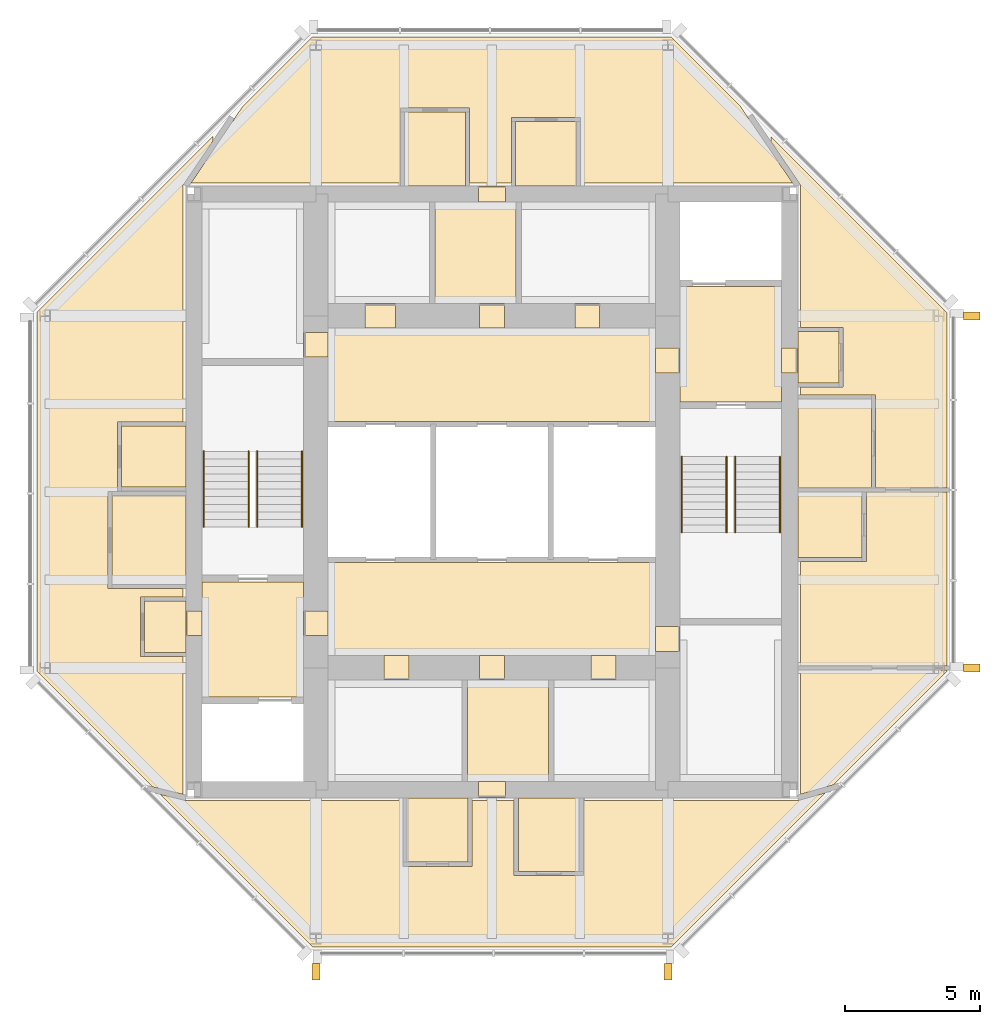
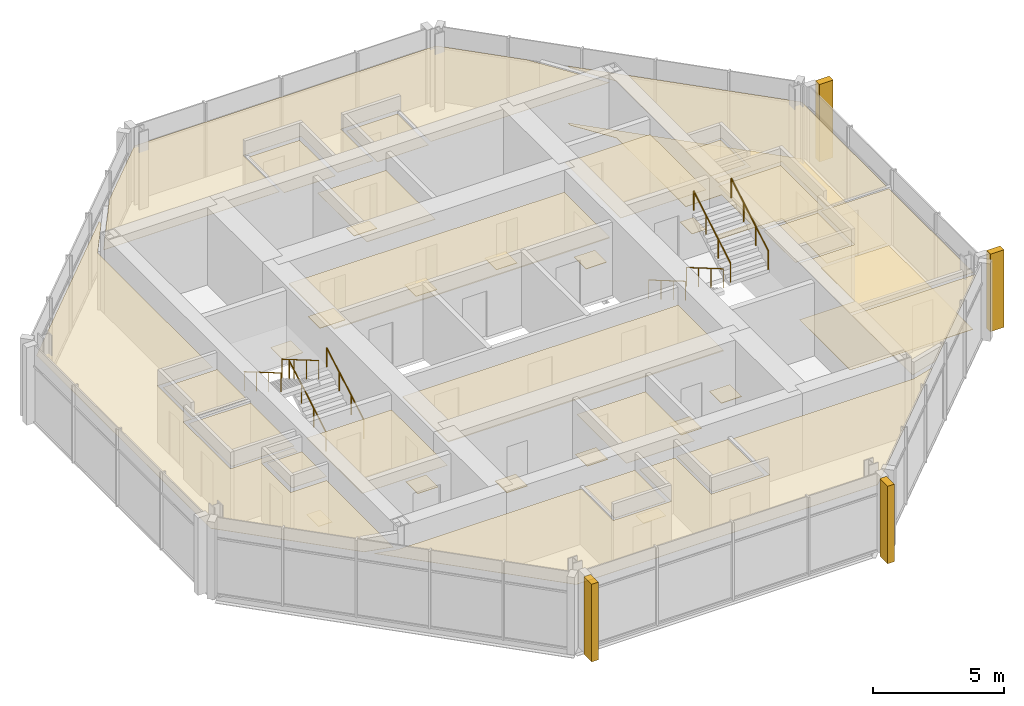
# One storey, part 8 of 8: 42 coverings, 8 railings.
"""IFC4 building model written with IfcOpenShell, lengths in metres."""

from ifc_helpers import new_model, si_unit, direction, frame, origin, origin_2d, place, context, subcontext, project, spatial, polyline, rectangle, circle, outline, extrude, material, layer, layer_set, type_object, element, save


model = new_model("IFC4")

# Units and contexts
model_context = context("Model", 3, precision=1e-05, world=origin(), true_north=direction((0.0, 1.0)))
body_context = subcontext(model_context, "Body", "Model", "MODEL_VIEW")
ifc_project = project(units=[si_unit("LENGTHUNIT", "METRE"), si_unit("AREAUNIT", "SQUARE_METRE"), si_unit("VOLUMEUNIT", "CUBIC_METRE"), si_unit("PLANEANGLEUNIT", "RADIAN"), si_unit("MASSUNIT", "GRAM", prefix="KILO")], contexts=[model_context])

# Site, building, storey
site_placement = place(None, origin())
site = spatial("IfcSite", under=ifc_project, at=site_placement, CompositionType="ELEMENT")
building_placement = place(site_placement, origin())
building = spatial("IfcBuilding", under=site, at=building_placement, Name="Trevanion Tower", CompositionType="ELEMENT")
storey_placement = place(building_placement, frame((0.0, 0.0, 266.800048828125)))
storey = spatial("IfcBuildingStorey", under=building, at=storey_placement, Name="L65", CompositionType="ELEMENT", Elevation=266.800048828125)

# Coverings
ifc_material_1 = material(Name="Fibrous plaster coffers on suspended steel grid", Category="steel")
ifc_layer_1 = layer(ifc_material_1, 0.050048828125)
ifc_layer_set_1 = layer_set([ifc_layer_1], Name="CL1 coffered fibrous plaster ceiling 50")
covering_type_1 = type_object("IfcCoveringType", Name="CL1 coffered fibrous plaster ceiling 50", PredefinedType="CEILING", material=ifc_layer_set_1)
covering_1_placement = place(storey_placement, frame((0.0, 0.0, 2.530029296875)))
element("IfcCovering", 1, at=covering_1_placement, inside=storey, type_object=covering_type_1, Name="CL1 L65-LBN", PredefinedType="CEILING", context=body_context, shape_type="SweptSolid", body=[
    extrude(outline(polyline([(6.050048828125, 2.60009765625), (6.050048828125, 6.050048828125), (-6.050048828125, 6.050048828125), (-6.050048828125, 2.60009765625), (6.050048828125, 2.60009765625)])), origin(), (0.0, 0.0, 1.0), 0.0498046875),
])
covering_2_placement = place(storey_placement, frame((0.0, 0.0, 2.530029296875)))
element("IfcCovering", 2, at=covering_2_placement, inside=storey, type_object=covering_type_1, Name="CL1 L65-LBS", PredefinedType="CEILING", context=body_context, shape_type="SweptSolid", body=[
    extrude(outline(polyline([(6.050048828125, -6.050048828125), (6.050048828125, -2.60009765625), (-6.050048828125, -2.60009765625), (-6.050048828125, -6.050048828125), (6.050048828125, -6.050048828125)])), origin(), (0.0, 0.0, 1.0), 0.0498046875),
])
ifc_material_2 = material(Name="Mineral fibre acoustic tiles in exposed grid", Category="mineral fibre")
ifc_layer_2 = layer(ifc_material_2, 0.02001953125)
ifc_layer_set_2 = layer_set([ifc_layer_2], Name="CL2 acoustic tile ceiling 20")
covering_type_2 = type_object("IfcCoveringType", Name="CL2 acoustic tile ceiling 20", PredefinedType="CEILING", material=ifc_layer_set_2)
covering_3_placement = place(storey_placement, frame((0.0, 0.0, 2.56005859375)))
element("IfcCovering", 3, at=covering_3_placement, inside=storey, type_object=covering_type_2, Name="CL2 L65-CNC", PredefinedType="CEILING", context=body_context, shape_type="SweptSolid", body=[
    extrude(outline(polyline([(0.89990234375, 6.949951171875), (0.89990234375, 10.699951171875), (-2.10009765625, 10.699951171875), (-2.10009765625, 6.949951171875), (0.89990234375, 6.949951171875)])), origin(), (0.0, 0.0, 1.0), 0.019775390625),
])
covering_4_placement = place(storey_placement, frame((0.0, 0.0, 2.56005859375)))
element("IfcCovering", 4, at=covering_4_placement, inside=storey, type_object=covering_type_2, Name="CL2 L65-CSC", PredefinedType="CEILING", context=body_context, shape_type="SweptSolid", body=[
    extrude(outline(polyline([(2.10009765625, -10.699951171875), (2.10009765625, -6.949951171875), (-0.89990234375, -6.949951171875), (-0.89990234375, -10.699951171875), (2.10009765625, -10.699951171875)])), origin(), (0.0, 0.0, 1.0), 0.019775390625),
])
ifc_material_3 = material(Name="Gypsum plasterboard on suspended metal furring", Category="gypsum")
ifc_layer_3 = layer(ifc_material_3, 0.012939453125)
ifc_layer_set_3 = layer_set([ifc_layer_3], Name="CL3 plasterboard ceiling 13")
covering_type_3 = type_object("IfcCoveringType", Name="CL3 plasterboard ceiling 13", PredefinedType="CEILING", material=ifc_layer_set_3)
covering_5_placement = place(storey_placement, frame((0.0, 0.0, 2.699951171875)))
element("IfcCovering", 5, at=covering_5_placement, inside=storey, type_object=covering_type_3, Name="CL3 L65-FV1", PredefinedType="CEILING", context=body_context, shape_type="SweptSolid", body=[
    extrude(outline(polyline([(10.699951171875, 3.324951171875), (10.699951171875, 7.574951171875), (6.949951171875, 7.574951171875), (6.949951171875, 3.324951171875), (10.699951171875, 3.324951171875)])), origin(), (0.0, 0.0, 1.0), 0.012939453125),
])
covering_6_placement = place(storey_placement, frame((0.0, 0.0, 2.699951171875)))
element("IfcCovering", 6, at=covering_6_placement, inside=storey, type_object=covering_type_3, Name="CL3 L65-FV2", PredefinedType="CEILING", context=body_context, shape_type="SweptSolid", body=[
    extrude(outline(polyline([(-10.699951171875, -3.324951171875), (-10.699951171875, -7.574951171875), (-6.949951171875, -7.574951171875), (-6.949951171875, -3.324951171875), (-10.699951171875, -3.324951171875)])), origin(), (0.0, 0.0, 1.0), 0.012939453125),
])
covering_7_placement = place(storey_placement, frame((0.0, 0.0, 2.699951171875)))
element("IfcCovering", 7, at=covering_7_placement, inside=storey, type_object=covering_type_3, Name="CL3 L65-REE", PredefinedType="CEILING", context=body_context, shape_type="SweptSolid", body=[
    extrude(outline(polyline([(12.824951171875, 4.02490234375), (12.824951171875, 5.925048828125), (11.300048828125, 5.925048828125), (11.300048828125, 4.02490234375), (12.824951171875, 4.02490234375)])), origin(), (0.0, 0.0, 1.0), 0.012939453125),
])
covering_8_placement = place(storey_placement, frame((0.0, 0.0, 2.640869140625)))
element("IfcCovering", 8, at=covering_8_placement, inside=storey, type_object=covering_type_3, Name="CL3 L65-REY", PredefinedType="CEILING", context=body_context, shape_type="SweptSolid", body=[
    extrude(outline(polyline([(12.606689453125, -10.817626953125), (11.39990234375, -11.1669921875), (11.39990234375, -6.574951171875), (16.800048828125, -6.574951171875), (16.800048828125, -6.624267578125), (12.606689453125, -10.817626953125)])), origin(), (0.0, 0.0, 1.0), 0.01318359375),
])
covering_9_placement = place(storey_placement, frame((0.0, 0.0, 2.640869140625)))
element("IfcCovering", 9, at=covering_9_placement, inside=storey, type_object=covering_type_3, Name="CL3 L65-REB", PredefinedType="CEILING", context=body_context, shape_type="SweptSolid", body=[
    extrude(outline(polyline([(11.39990234375, -6.425048828125), (11.39990234375, -2.574951171875), (13.824951171875, -2.574951171875), (13.824951171875, -0.010009765625), (16.800048828125, -0.010009765625), (16.800048828125, -6.425048828125), (11.39990234375, -6.425048828125)])), origin(), (0.0, 0.0, 1.0), 0.01318359375),
])
covering_10_placement = place(storey_placement, frame((0.0, 0.0, 2.640869140625)))
element("IfcCovering", 10, at=covering_10_placement, inside=storey, type_object=covering_type_3, Name="CL3 L65-REL", PredefinedType="CEILING", context=body_context, shape_type="SweptSolid", body=[
    extrude(outline(polyline([(14.175048828125, 0.139892578125), (14.175048828125, 3.574951171875), (11.39990234375, 3.574951171875), (11.39990234375, 3.875), (12.97509765625, 3.875), (12.97509765625, 6.074951171875), (11.39990234375, 6.074951171875), (11.39990234375, 11.330810546875), (10.300048828125, 12.94384765625), (10.300048828125, 13.124267578125), (16.800048828125, 6.624267578125), (16.800048828125, 0.139892578125), (14.175048828125, 0.139892578125)])), origin(), (0.0, 0.0, 1.0), 0.01318359375),
])
covering_11_placement = place(storey_placement, frame((0.0, 0.0, 2.640869140625)))
element("IfcCovering", 11, at=covering_11_placement, inside=storey, type_object=covering_type_3, Name="CL3 L65-RNL", PredefinedType="CEILING", context=body_context, shape_type="SweptSolid", body=[
    extrude(outline(polyline([(9.15185546875, 14.272216796875), (11.11083984375, 11.39990234375), (3.27490234375, 11.39990234375), (3.27490234375, 13.824951171875), (0.72509765625, 13.824951171875), (0.72509765625, 11.39990234375), (-0.824951171875, 11.39990234375), (-0.824951171875, 14.175048828125), (-3.375, 14.175048828125), (-3.375, 11.39990234375), (-11.112060546875, 11.39990234375), (-9.227294921875, 14.197021484375), (-6.624267578125, 16.800048828125), (6.624267578125, 16.800048828125), (9.15185546875, 14.272216796875)])), origin(), (0.0, 0.0, 1.0), 0.01318359375),
])
covering_12_placement = place(storey_placement, frame((0.0, 0.0, 2.699951171875)))
element("IfcCovering", 12, at=covering_12_placement, inside=storey, type_object=covering_type_3, Name="CL3 L65-RWE", PredefinedType="CEILING", context=body_context, shape_type="SweptSolid", body=[
    extrude(outline(polyline([(-12.824951171875, -4.02490234375), (-12.824951171875, -5.925048828125), (-11.300048828125, -5.925048828125), (-11.300048828125, -4.02490234375), (-12.824951171875, -4.02490234375)])), origin(), (0.0, 0.0, 1.0), 0.012939453125),
])
covering_13_placement = place(storey_placement, frame((0.0, 0.0, 2.640869140625)))
element("IfcCovering", 13, at=covering_13_placement, inside=storey, type_object=covering_type_3, Name="CL3 L65-RWL", PredefinedType="CEILING", context=body_context, shape_type="SweptSolid", body=[
    extrude(outline(polyline([(-10.300048828125, 13.124267578125), (-10.300048828125, 12.962890625), (-11.39990234375, 11.33056640625), (-11.39990234375, 2.574951171875), (-13.824951171875, 2.574951171875), (-13.824951171875, 0.02490234375), (-11.39990234375, 0.02490234375), (-11.39990234375, 0.010009765625), (-14.175048828125, 0.010009765625), (-14.175048828125, -3.574951171875), (-11.39990234375, -3.574951171875), (-11.39990234375, -3.875), (-12.97509765625, -3.875), (-12.97509765625, -6.074951171875), (-11.39990234375, -6.074951171875), (-11.39990234375, -11.172119140625), (-12.53271484375, -10.8916015625), (-16.800048828125, -6.624267578125), (-16.800048828125, 6.624267578125), (-10.300048828125, 13.124267578125)])), origin(), (0.0, 0.0, 1.0), 0.01318359375),
])
covering_14_placement = place(storey_placement, frame((0.0, 0.0, 2.640869140625)))
element("IfcCovering", 14, at=covering_14_placement, inside=storey, type_object=covering_type_3, Name="CL3 L65-RSL", PredefinedType="CEILING", context=body_context, shape_type="SweptSolid", body=[
    extrude(outline(polyline([(-11.312255859375, -11.39990234375), (-3.27490234375, -11.39990234375), (-3.27490234375, -13.824951171875), (-0.72509765625, -13.824951171875), (-0.72509765625, -11.39990234375), (0.824951171875, -11.39990234375), (0.824951171875, -14.175048828125), (3.375, -14.175048828125), (3.375, -11.39990234375), (11.314208984375, -11.39990234375), (12.313720703125, -11.110595703125), (6.624267578125, -16.800048828125), (-6.624267578125, -16.800048828125), (-12.2587890625, -11.16552734375), (-11.312255859375, -11.39990234375)])), origin(), (0.0, 0.0, 1.0), 0.01318359375),
])
ifc_material_4 = material(Name="Moisture-resistant gypsum board on suspended metal furring", Category="gypsum")
ifc_layer_4 = layer(ifc_material_4, 0.01611328125)
ifc_layer_set_4 = layer_set([ifc_layer_4], Name="CL4 moisture-resistant board ceiling 16")
covering_type_4 = type_object("IfcCoveringType", Name="CL4 moisture-resistant board ceiling 16", PredefinedType="CEILING", material=ifc_layer_set_4)
covering_15_placement = place(storey_placement, frame((0.0, 0.0, 2.599853515625)))
element("IfcCovering", 15, at=covering_15_placement, inside=storey, type_object=covering_type_4, Name="CL4 L65-REK", PredefinedType="CEILING", context=body_context, shape_type="SweptSolid", body=[
    extrude(outline(polyline([(14.02490234375, 0.139892578125), (14.02490234375, 3.425048828125), (11.300048828125, 3.425048828125), (11.300048828125, 0.139892578125), (14.02490234375, 0.139892578125)])), origin(), (0.0, 0.0, 1.0), 0.01611328125),
])
covering_16_placement = place(storey_placement, frame((0.0, 0.0, 2.599853515625)))
element("IfcCovering", 16, at=covering_16_placement, inside=storey, type_object=covering_type_4, Name="CL4 L65-RET", PredefinedType="CEILING", context=body_context, shape_type="SweptSolid", body=[
    extrude(outline(polyline([(13.675048828125, -2.425048828125), (13.675048828125, -0.010009765625), (11.300048828125, -0.010009765625), (11.300048828125, -2.425048828125), (13.675048828125, -2.425048828125)])), origin(), (0.0, 0.0, 1.0), 0.01611328125),
])
covering_17_placement = place(storey_placement, frame((0.0, 0.0, 2.599853515625)))
element("IfcCovering", 17, at=covering_17_placement, inside=storey, type_object=covering_type_4, Name="CL4 L65-RNK", PredefinedType="CEILING", context=body_context, shape_type="SweptSolid", body=[
    extrude(outline(polyline([(-0.97509765625, 14.02490234375), (-3.22509765625, 14.02490234375), (-3.22509765625, 11.300048828125), (-0.97509765625, 11.300048828125), (-0.97509765625, 14.02490234375)])), origin(), (0.0, 0.0, 1.0), 0.01611328125),
])
covering_18_placement = place(storey_placement, frame((0.0, 0.0, 2.599853515625)))
element("IfcCovering", 18, at=covering_18_placement, inside=storey, type_object=covering_type_4, Name="CL4 L65-RNT", PredefinedType="CEILING", context=body_context, shape_type="SweptSolid", body=[
    extrude(outline(polyline([(3.125, 13.675048828125), (0.875, 13.675048828125), (0.875, 11.300048828125), (3.125, 11.300048828125), (3.125, 13.675048828125)])), origin(), (0.0, 0.0, 1.0), 0.01611328125),
])
covering_19_placement = place(storey_placement, frame((0.0, 0.0, 2.599853515625)))
element("IfcCovering", 19, at=covering_19_placement, inside=storey, type_object=covering_type_4, Name="CL4 L65-RWK", PredefinedType="CEILING", context=body_context, shape_type="SweptSolid", body=[
    extrude(outline(polyline([(-14.02490234375, -0.139892578125), (-14.02490234375, -3.425048828125), (-11.300048828125, -3.425048828125), (-11.300048828125, -0.139892578125), (-14.02490234375, -0.139892578125)])), origin(), (0.0, 0.0, 1.0), 0.01611328125),
])
covering_20_placement = place(storey_placement, frame((0.0, 0.0, 2.599853515625)))
element("IfcCovering", 20, at=covering_20_placement, inside=storey, type_object=covering_type_4, Name="CL4 L65-RWT", PredefinedType="CEILING", context=body_context, shape_type="SweptSolid", body=[
    extrude(outline(polyline([(-13.675048828125, 2.425048828125), (-13.675048828125, 0.175048828125), (-11.300048828125, 0.175048828125), (-11.300048828125, 2.425048828125), (-13.675048828125, 2.425048828125)])), origin(), (0.0, 0.0, 1.0), 0.01611328125),
])
covering_21_placement = place(storey_placement, frame((0.0, 0.0, 2.599853515625)))
element("IfcCovering", 21, at=covering_21_placement, inside=storey, type_object=covering_type_4, Name="CL4 L65-RSK", PredefinedType="CEILING", context=body_context, shape_type="SweptSolid", body=[
    extrude(outline(polyline([(0.97509765625, -14.02490234375), (3.22509765625, -14.02490234375), (3.22509765625, -11.300048828125), (0.97509765625, -11.300048828125), (0.97509765625, -14.02490234375)])), origin(), (0.0, 0.0, 1.0), 0.01611328125),
])
covering_22_placement = place(storey_placement, frame((0.0, 0.0, 2.599853515625)))
element("IfcCovering", 22, at=covering_22_placement, inside=storey, type_object=covering_type_4, Name="CL4 L65-RST", PredefinedType="CEILING", context=body_context, shape_type="SweptSolid", body=[
    extrude(outline(polyline([(-3.125, -13.675048828125), (-0.875, -13.675048828125), (-0.875, -11.300048828125), (-3.125, -11.300048828125), (-3.125, -13.675048828125)])), origin(), (0.0, 0.0, 1.0), 0.01611328125),
])
ifc_material_5 = material(Name="Cast bronze fin on aluminium carrier", Category="aluminium")
covering_type_5 = type_object("IfcCoveringType", Name="F1 bronze fin", PredefinedType="CLADDING", material=ifc_material_5)
for number, where, z_axis, x_axis, name in (
    (23, (17.72509765625, -6.5, -0.190185546875), (0.0, 0.0, 1.0), (0.0, 1.0, 0.0), "F1 L65 east -6.5"),
    (24, (17.72509765625, 6.5, -0.190185546875), (0.0, 0.0, 1.0), (0.0, 1.0, 0.0), "F1 L65 east +6.5"),
    (25, (-6.5, -17.72509765625, -0.190185546875), (0.0, 0.0, 1.0), (1.0, 0.0, 0.0), "F1 L65 south -6.5"),
    (26, (6.5, -17.72509765625, -0.190185546875), (0.0, 0.0, 1.0), (1.0, 0.0, 0.0), "F1 L65 south +6.5"),
):
    element("IfcCovering", number, at=place(storey_placement, frame(where, z_axis=z_axis, x_axis=x_axis)), inside=storey, type_object=covering_type_5, Name=name, PredefinedType="CLADDING", context=body_context, shape_type="SweptSolid", body=[
        extrude(rectangle(XDim=0.300048828125, YDim=0.60009765625, at=origin_2d()), origin(), (0.0, 0.0, 1.0), 3.60009765625),
    ])
ifc_material_6 = material(Name="Terrazzo, brass divider strips", Category="stone")
ifc_layer_5 = layer(ifc_material_6, 0.02001953125)
ifc_layer_set_5 = layer_set([ifc_layer_5], Name="FF1 terrazzo flooring")
covering_type_6 = type_object("IfcCoveringType", Name="FF1 terrazzo flooring", PredefinedType="FLOORING", material=ifc_layer_set_5)
covering_23_placement = place(storey_placement, origin())
element("IfcCovering", 27, at=covering_23_placement, inside=storey, type_object=covering_type_6, Name="FF1 threshold 65-001", PredefinedType="FLOORING", context=body_context, shape_type="SweptSolid", body=[
    extrude(outline(polyline([(11.300048828125, 4.392578125), (11.300048828125, 5.3076171875), (10.699951171875, 5.3076171875), (10.699951171875, 4.392578125), (11.300048828125, 4.392578125)])), origin(), (0.0, 0.0, 1.0), 0.02001953125),
])
covering_24_placement = place(storey_placement, origin())
element("IfcCovering", 28, at=covering_24_placement, inside=storey, type_object=covering_type_6, Name="FF1 threshold 65-002", PredefinedType="FLOORING", context=body_context, shape_type="SweptSolid", body=[
    extrude(outline(polyline([(-11.300048828125, -4.392578125), (-11.300048828125, -5.3076171875), (-10.699951171875, -5.3076171875), (-10.699951171875, -4.392578125), (-11.300048828125, -4.392578125)])), origin(), (0.0, 0.0, 1.0), 0.02001953125),
])
covering_25_placement = place(storey_placement, origin())
element("IfcCovering", 29, at=covering_25_placement, inside=storey, type_object=covering_type_6, Name="FF1 threshold 65-003", PredefinedType="FLOORING", context=body_context, shape_type="SweptSolid", body=[
    extrude(outline(polyline([(6.949951171875, 4.392578125), (6.949951171875, 5.3076171875), (6.050048828125, 5.3076171875), (6.050048828125, 4.392578125), (6.949951171875, 4.392578125)])), origin(), (0.0, 0.0, 1.0), 0.02001953125),
])
covering_26_placement = place(storey_placement, origin())
element("IfcCovering", 30, at=covering_26_placement, inside=storey, type_object=covering_type_6, Name="FF1 threshold 65-004", PredefinedType="FLOORING", context=body_context, shape_type="SweptSolid", body=[
    extrude(outline(polyline([(-6.949951171875, -4.392578125), (-6.949951171875, -5.3076171875), (-6.050048828125, -5.3076171875), (-6.050048828125, -4.392578125), (-6.949951171875, -4.392578125)])), origin(), (0.0, 0.0, 1.0), 0.02001953125),
])
covering_27_placement = place(storey_placement, origin())
element("IfcCovering", 31, at=covering_27_placement, inside=storey, type_object=covering_type_6, Name="FF1 threshold 65-009", PredefinedType="FLOORING", context=body_context, shape_type="SweptSolid", body=[
    extrude(outline(polyline([(6.949951171875, -5.889892578125), (6.949951171875, -4.97509765625), (6.050048828125, -4.97509765625), (6.050048828125, -5.889892578125), (6.949951171875, -5.889892578125)])), origin(), (0.0, 0.0, 1.0), 0.02001953125),
])
covering_28_placement = place(storey_placement, origin())
element("IfcCovering", 32, at=covering_28_placement, inside=storey, type_object=covering_type_6, Name="FF1 threshold 65-010", PredefinedType="FLOORING", context=body_context, shape_type="SweptSolid", body=[
    extrude(outline(polyline([(-6.949951171875, 5.889892578125), (-6.949951171875, 4.97509765625), (-6.050048828125, 4.97509765625), (-6.050048828125, 5.889892578125), (-6.949951171875, 5.889892578125)])), origin(), (0.0, 0.0, 1.0), 0.02001953125),
])
covering_29_placement = place(storey_placement, origin())
element("IfcCovering", 33, at=covering_29_placement, inside=storey, type_object=covering_type_6, Name="FF1 threshold 65-017", PredefinedType="FLOORING", context=body_context, shape_type="SweptSolid", body=[
    extrude(outline(polyline([(0.45751953125, 6.949951171875), (-0.45751953125, 6.949951171875), (-0.45751953125, 6.050048828125), (0.45751953125, 6.050048828125), (0.45751953125, 6.949951171875)])), origin(), (0.0, 0.0, 1.0), 0.02001953125),
])
covering_30_placement = place(storey_placement, origin())
element("IfcCovering", 34, at=covering_30_placement, inside=storey, type_object=covering_type_6, Name="FF1 threshold 65-018", PredefinedType="FLOORING", context=body_context, shape_type="SweptSolid", body=[
    extrude(outline(polyline([(0.5, 11.300048828125), (-0.5, 11.300048828125), (-0.5, 10.699951171875), (0.5, 10.699951171875), (0.5, 11.300048828125)])), origin(), (0.0, 0.0, 1.0), 0.02001953125),
])
covering_31_placement = place(storey_placement, origin())
element("IfcCovering", 35, at=covering_31_placement, inside=storey, type_object=covering_type_6, Name="FF1 threshold 65-019", PredefinedType="FLOORING", context=body_context, shape_type="SweptSolid", body=[
    extrude(outline(polyline([(-3.56591796875, 6.949951171875), (-4.68408203125, 6.949951171875), (-4.68408203125, 6.050048828125), (-3.56591796875, 6.050048828125), (-3.56591796875, 6.949951171875)])), origin(), (0.0, 0.0, 1.0), 0.02001953125),
])
covering_32_placement = place(storey_placement, origin())
element("IfcCovering", 36, at=covering_32_placement, inside=storey, type_object=covering_type_6, Name="FF1 threshold 65-020", PredefinedType="FLOORING", context=body_context, shape_type="SweptSolid", body=[
    extrude(outline(polyline([(3.982421875, 6.949951171875), (3.0673828125, 6.949951171875), (3.0673828125, 6.050048828125), (3.982421875, 6.050048828125), (3.982421875, 6.949951171875)])), origin(), (0.0, 0.0, 1.0), 0.02001953125),
])
covering_33_placement = place(storey_placement, origin())
element("IfcCovering", 37, at=covering_33_placement, inside=storey, type_object=covering_type_6, Name="FF1 threshold 65-021", PredefinedType="FLOORING", context=body_context, shape_type="SweptSolid", body=[
    extrude(outline(polyline([(-0.45751953125, -6.949951171875), (0.45751953125, -6.949951171875), (0.45751953125, -6.050048828125), (-0.45751953125, -6.050048828125), (-0.45751953125, -6.949951171875)])), origin(), (0.0, 0.0, 1.0), 0.02001953125),
])
covering_34_placement = place(storey_placement, origin())
element("IfcCovering", 38, at=covering_34_placement, inside=storey, type_object=covering_type_6, Name="FF1 threshold 65-022", PredefinedType="FLOORING", context=body_context, shape_type="SweptSolid", body=[
    extrude(outline(polyline([(-0.5, -11.300048828125), (0.5, -11.300048828125), (0.5, -10.699951171875), (-0.5, -10.699951171875), (-0.5, -11.300048828125)])), origin(), (0.0, 0.0, 1.0), 0.02001953125),
])
covering_35_placement = place(storey_placement, origin())
element("IfcCovering", 39, at=covering_35_placement, inside=storey, type_object=covering_type_6, Name="FF1 threshold 65-023", PredefinedType="FLOORING", context=body_context, shape_type="SweptSolid", body=[
    extrude(outline(polyline([(-3.982421875, -6.949951171875), (-3.0673828125, -6.949951171875), (-3.0673828125, -6.050048828125), (-3.982421875, -6.050048828125), (-3.982421875, -6.949951171875)])), origin(), (0.0, 0.0, 1.0), 0.02001953125),
])
covering_36_placement = place(storey_placement, origin())
element("IfcCovering", 40, at=covering_36_placement, inside=storey, type_object=covering_type_6, Name="FF1 threshold 65-024", PredefinedType="FLOORING", context=body_context, shape_type="SweptSolid", body=[
    extrude(outline(polyline([(3.66748046875, -6.949951171875), (4.58251953125, -6.949951171875), (4.58251953125, -6.050048828125), (3.66748046875, -6.050048828125), (3.66748046875, -6.949951171875)])), origin(), (0.0, 0.0, 1.0), 0.02001953125),
])
ifc_material_7 = material(Name="Engineered oak", Category="wood")
ifc_layer_6 = layer(ifc_material_7, 0.014892578125)
ifc_layer_set_6 = layer_set([ifc_layer_6], Name="FF3 timber flooring")
covering_type_7 = type_object("IfcCoveringType", Name="FF3 timber flooring", PredefinedType="FLOORING", material=ifc_layer_set_6)
covering_37_placement = place(storey_placement, origin())
element("IfcCovering", 41, at=covering_37_placement, inside=storey, type_object=covering_type_7, Name="FF3 L65-REB", PredefinedType="FLOORING", context=body_context, shape_type="SweptSolid", body=[
    extrude(outline(polyline([(11.39990234375, -6.425048828125), (11.39990234375, -2.574951171875), (13.824951171875, -2.574951171875), (13.824951171875, -0.010009765625), (16.800048828125, -0.010009765625), (16.800048828125, -6.425048828125), (11.39990234375, -6.425048828125)])), origin(), (0.0, 0.0, 1.0), 0.014892578125),
])
covering_38_placement = place(storey_placement, origin())
element("IfcCovering", 42, at=covering_38_placement, inside=storey, type_object=covering_type_7, Name="FF3 L65-REL", PredefinedType="FLOORING", context=body_context, shape_type="SweptSolid", body=[
    extrude(outline(polyline([(14.175048828125, 0.139892578125), (14.175048828125, 3.574951171875), (11.39990234375, 3.574951171875), (11.39990234375, 3.875), (12.97509765625, 3.875), (12.97509765625, 6.074951171875), (11.39990234375, 6.074951171875), (11.39990234375, 11.330810546875), (10.300048828125, 12.94384765625), (10.300048828125, 13.124267578125), (16.800048828125, 6.624267578125), (16.800048828125, 0.139892578125), (14.175048828125, 0.139892578125)])), origin(), (0.0, 0.0, 1.0), 0.014892578125),
])

# Railings
ifc_material_8 = material(Name="Stainless steel tube 40 mm", Category="steel")
railing_type = type_object("IfcRailingType", Name="HR1 handrail", PredefinedType="HANDRAIL", material=ifc_material_8)
for number, where, name in (
    (43, (7.010009765625, 1.300048828125, 0.16357421875), "HR1 ST1 L65 flight 1"),
    (44, (8.6650390625, 1.300048828125, 0.16357421875), "HR1 ST1 L65 flight 1"),
):
    element("IfcRailing", number, at=place(storey_placement, frame(where)), inside=storey, type_object=railing_type, Name=name, PredefinedType="HANDRAIL", context=body_context, shape_type="SweptSolid", body=[
        extrude(circle(Radius=0.02001953125, at=origin_2d()), frame((0.0, 0.0, 0.8798828125), z_axis=(0.0, -0.863360870873, 0.504586966384), x_axis=(1.0, 0.0, 0.0)), (0.0, 0.0, 1.0), 3.2431640625),
        extrude(circle(Radius=0.01513671875, at=origin_2d()), origin(), (0.0, 0.0, 1.0), 0.85986328125),
        extrude(circle(Radius=0.01513671875, at=origin_2d()), frame((0.0, -0.933349609375, 0.54541015625)), (0.0, 0.0, 1.0), 0.85986328125),
        extrude(circle(Radius=0.01513671875, at=origin_2d()), frame((0.0, -1.86669921875, 1.091064453125)), (0.0, 0.0, 1.0), 0.85986328125),
        extrude(circle(Radius=0.01513671875, at=origin_2d()), frame((0.0, -2.800048828125, 1.636474609375)), (0.0, 0.0, 1.0), 0.85986328125),
    ])
for number, where, name in (
    (45, (8.985107421875, -1.5, 1.963623046875), "HR1 ST1 L65 flight 2"),
    (46, (10.639892578125, -1.5, 1.963623046875), "HR1 ST1 L65 flight 2"),
):
    element("IfcRailing", number, at=place(storey_placement, frame(where)), inside=storey, type_object=railing_type, Name=name, PredefinedType="HANDRAIL", context=body_context, shape_type="SweptSolid", body=[
        extrude(circle(Radius=0.02001953125, at=origin_2d()), frame((0.0, 0.0, 0.8798828125), z_axis=(0.0, 0.863393664356, 0.504530851732), x_axis=(-1.0, 0.0, 0.0)), (0.0, 0.0, 1.0), 3.2431640625),
        extrude(circle(Radius=0.01513671875, at=origin_2d()), origin(), (0.0, 0.0, 1.0), 0.85986328125),
        extrude(circle(Radius=0.01513671875, at=origin_2d()), frame((0.0, 0.933349609375, 0.54541015625)), (0.0, 0.0, 1.0), 0.85986328125),
        extrude(circle(Radius=0.01513671875, at=origin_2d()), frame((0.0, 1.86669921875, 1.0908203125)), (0.0, 0.0, 1.0), 0.85986328125),
        extrude(circle(Radius=0.01513671875, at=origin_2d()), frame((0.0, 2.800048828125, 1.63623046875)), (0.0, 0.0, 1.0), 0.85986328125),
    ])
for number, where, name in (
    (47, (-7.010009765625, -1.300048828125, 0.16357421875), "HR1 ST2 L65 flight 1"),
    (48, (-8.6650390625, -1.300048828125, 0.16357421875), "HR1 ST2 L65 flight 1"),
):
    element("IfcRailing", number, at=place(storey_placement, frame(where)), inside=storey, type_object=railing_type, Name=name, PredefinedType="HANDRAIL", context=body_context, shape_type="SweptSolid", body=[
        extrude(circle(Radius=0.02001953125, at=origin_2d()), frame((0.0, 0.0, 0.8798828125), z_axis=(0.0, 0.863360870873, 0.504586966384), x_axis=(-1.0, 0.0, 0.0)), (0.0, 0.0, 1.0), 3.2431640625),
        extrude(circle(Radius=0.01513671875, at=origin_2d()), origin(), (0.0, 0.0, 1.0), 0.85986328125),
        extrude(circle(Radius=0.01513671875, at=origin_2d()), frame((0.0, 0.933349609375, 0.54541015625)), (0.0, 0.0, 1.0), 0.85986328125),
        extrude(circle(Radius=0.01513671875, at=origin_2d()), frame((0.0, 1.86669921875, 1.091064453125)), (0.0, 0.0, 1.0), 0.85986328125),
        extrude(circle(Radius=0.01513671875, at=origin_2d()), frame((0.0, 2.800048828125, 1.636474609375)), (0.0, 0.0, 1.0), 0.85986328125),
    ])
for number, where, name in (
    (49, (-8.985107421875, 1.5, 1.963623046875), "HR1 ST2 L65 flight 2"),
    (50, (-10.639892578125, 1.5, 1.963623046875), "HR1 ST2 L65 flight 2"),
):
    element("IfcRailing", number, at=place(storey_placement, frame(where)), inside=storey, type_object=railing_type, Name=name, PredefinedType="HANDRAIL", context=body_context, shape_type="SweptSolid", body=[
        extrude(circle(Radius=0.02001953125, at=origin_2d()), frame((0.0, 0.0, 0.8798828125), z_axis=(0.0, -0.863393664356, 0.504530851732), x_axis=(1.0, 0.0, 0.0)), (0.0, 0.0, 1.0), 3.2431640625),
        extrude(circle(Radius=0.01513671875, at=origin_2d()), origin(), (0.0, 0.0, 1.0), 0.85986328125),
        extrude(circle(Radius=0.01513671875, at=origin_2d()), frame((0.0, -0.933349609375, 0.54541015625)), (0.0, 0.0, 1.0), 0.85986328125),
        extrude(circle(Radius=0.01513671875, at=origin_2d()), frame((0.0, -1.86669921875, 1.0908203125)), (0.0, 0.0, 1.0), 0.85986328125),
        extrude(circle(Radius=0.01513671875, at=origin_2d()), frame((0.0, -2.800048828125, 1.63623046875)), (0.0, 0.0, 1.0), 0.85986328125),
    ])

save(model, "model.ifc")
